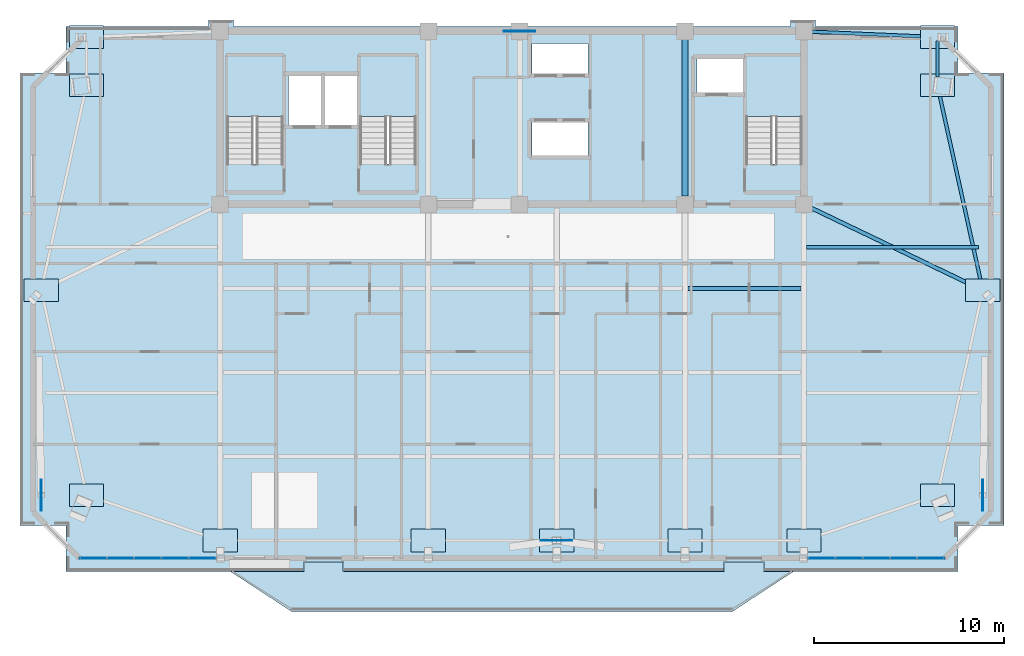
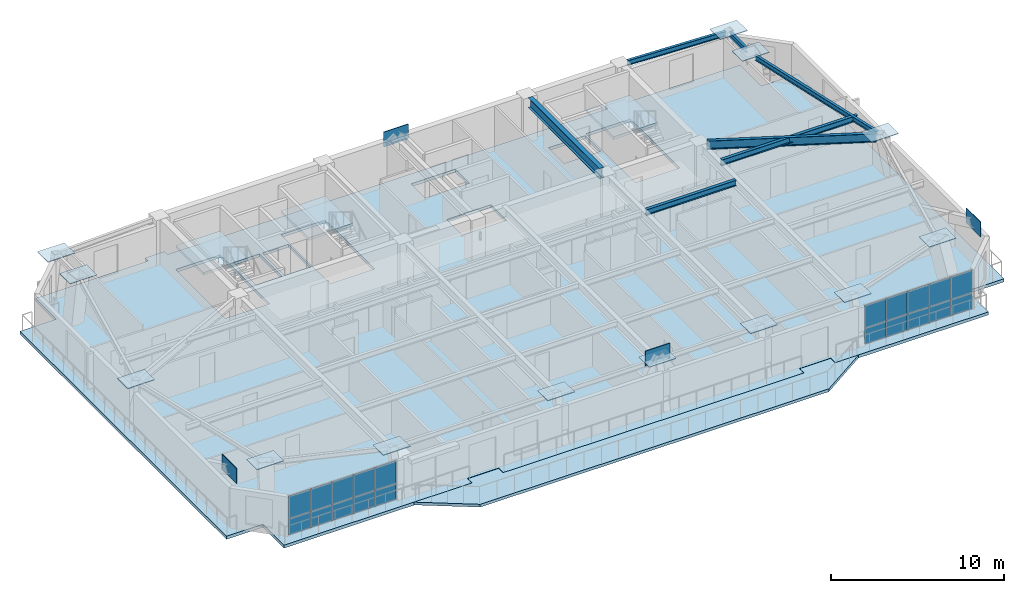
# One storey, part 6 of 15: 37 plates, 7 beams, 5 slabs, 5 elements without a shape of their own.
"""IFC4 building model written with IfcOpenShell, lengths in metres."""

from ifc_helpers import new_model, si_unit, direction, frame, origin, origin_2d, place, context, subcontext, project, spatial, polyline, rectangle, i_section, outline, extrude, source, transform, mapped, material, layer, layer_set, material_profile, profile_set, type_object, element, aggregate, save


model = new_model("IFC4")

# Units and contexts
model_context = context("Model", 3, precision=1e-05, world=origin(), true_north=direction((0.0, 1.0)))
body_context = subcontext(model_context, "Body", "Model", "MODEL_VIEW")
ifc_project = project(units=[si_unit("LENGTHUNIT", "METRE"), si_unit("AREAUNIT", "SQUARE_METRE"), si_unit("VOLUMEUNIT", "CUBIC_METRE"), si_unit("PLANEANGLEUNIT", "RADIAN"), si_unit("MASSUNIT", "GRAM", prefix="KILO")], contexts=[model_context])

# Site, building, storey
site_placement = place(None, origin())
site = spatial("IfcSite", under=ifc_project, at=site_placement, CompositionType="ELEMENT")
building_placement = place(site_placement, origin())
building = spatial("IfcBuilding", under=site, at=building_placement, Name="Giltprow Tower", CompositionType="ELEMENT")
storey_placement = place(building_placement, frame((0.0, 0.0, 300.60009765625)))
storey = spatial("IfcBuildingStorey", under=building, at=storey_placement, Name="L77", CompositionType="ELEMENT", Elevation=300.60009765625)

# Beams
ifc_material_1 = material(Name="Structural steel Q355B", Category="steel")
ifc_material_profile_1 = material_profile(ifc_material_1, i_section(OverallWidth=0.199951171875, OverallDepth=0.39990234375, WebThickness=0.008056640625, FlangeThickness=0.012939453125, at=origin_2d()), Name="HN 400x200x8x13")
ifc_profile_set_1 = profile_set([ifc_material_profile_1], Name="Structural steel Q355B")
beam_type_1 = type_object("IfcBeamType", Name="BM-JOIST-HN400", PredefinedType="JOIST", material=ifc_profile_set_1)
shared_shape_1 = source(origin(), body_context, "Body", "SweptSolid", [
    extrude(i_section(OverallWidth=0.199951171875, OverallDepth=0.39990234375, WebThickness=0.008056640625, FlangeThickness=0.012939453125, at=origin_2d()), origin(), (0.0, 0.0, 1.0), 5.9599609375),
])
beam_1_placement = place(storey_placement, frame((44.445068359375, 33.031005859375, 2.98486328125), z_axis=(1.0, 0.0, 0.0), x_axis=(0.0, 1.0, 0.0)))
element("IfcBeam", 1, at=beam_1_placement, inside=storey, type_object=beam_type_1, Name="L77 Composite Floor Joist 3-4", PredefinedType="JOIST", context=body_context, shape_type="MappedRepresentation", body=[
    mapped(shared_shape_1, transform((0.0, 0.0, 0.0), x_axis=(1.0, 0.0, 0.0), y_axis=(0.0, 1.0, 0.0), z_axis=(0.0, 0.0, 1.0), scale=1.0)),
])
ifc_material_profile_2 = material_profile(ifc_material_1, i_section(OverallWidth=0.300048828125, OverallDepth=0.699951171875, WebThickness=0.012939453125, FlangeThickness=0.02392578125, at=origin_2d()), Name="HN 700x300x13x24")
ifc_profile_set_2 = profile_set([ifc_material_profile_2], Name="Structural steel Q355B")
beam_type_2 = type_object("IfcBeamType", Name="BM-GIRD-HN700", PredefinedType="BEAM", material=ifc_profile_set_2)
shared_shape_2 = source(origin(), body_context, "Body", "SweptSolid", [
    extrude(i_section(OverallWidth=0.300048828125, OverallDepth=0.699951171875, WebThickness=0.012939453125, FlangeThickness=0.02392578125, at=origin_2d()), origin(), (0.0, 0.0, 1.0), 8.22998046875),
])
beam_2_placement = place(storey_placement, frame((44.300048828125, 37.885009765625, 2.8349609375), z_axis=(0.0, 1.0, 0.0), x_axis=(-1.0, 0.0, 0.0)))
element("IfcBeam", 2, at=beam_2_placement, inside=storey, type_object=beam_type_2, Name="L77 Core Tie Girder M3", PredefinedType="BEAM", context=body_context, shape_type="MappedRepresentation", body=[
    mapped(shared_shape_2, transform((0.0, 0.0, 0.0), x_axis=(1.0, 0.0, 0.0), y_axis=(0.0, 1.0, 0.0), z_axis=(0.0, 0.0, 1.0), scale=1.0)),
])
ifc_material_profile_3 = material_profile(ifc_material_1, i_section(OverallWidth=0.175048828125, OverallDepth=0.35009765625, WebThickness=0.007080078125, FlangeThickness=0.010986328125, at=origin_2d()), Name="HN 350x175x7x11")
ifc_profile_set_3 = profile_set([ifc_material_profile_3], Name="Structural steel Q355B")
beam_type_3 = type_object("IfcBeamType", Name="BM-SPAN-HN350", PredefinedType="SPANDREL", material=ifc_profile_set_3)
shared_shape_3 = source(origin(), body_context, "Body", "SweptSolid", [
    extrude(i_section(OverallWidth=0.175048828125, OverallDepth=0.35009765625, WebThickness=0.007080078125, FlangeThickness=0.010986328125, at=origin_2d()), origin(), (0.0, 0.0, 1.0), 10.39453125),
])
beam_3_placement = place(storey_placement, frame((59.9150390625, 33.14111328125, 3.010009765625), z_axis=(-0.216084827118, 0.976374593836, 0.0), x_axis=(-0.976374593836, -0.216084827118, 0.0)))
element("IfcBeam", 3, at=beam_3_placement, inside=storey, type_object=beam_type_3, Name="L77 Perimeter Spandrel Beam E_MID-MC_NE", PredefinedType="SPANDREL", context=body_context, shape_type="MappedRepresentation", body=[
    mapped(shared_shape_3, transform((0.0, 0.0, 0.0), x_axis=(1.0, 0.0, 0.0), y_axis=(0.0, 1.0, 0.0), z_axis=(0.0, 0.0, 1.0), scale=1.0)),
])
shared_shape_4 = source(origin(), body_context, "Body", "SweptSolid", [
    extrude(i_section(OverallWidth=0.175048828125, OverallDepth=0.35009765625, WebThickness=0.007080078125, FlangeThickness=0.010986328125, at=origin_2d()), origin(), (0.0, 0.0, 1.0), 1.89013671875),
])
beam_4_placement = place(storey_placement, frame((57.574951171875, 44.14990234375, 3.010009765625), z_axis=(0.0, 1.0, 0.0), x_axis=(-1.0, 0.0, 0.0)))
element("IfcBeam", 4, at=beam_4_placement, inside=storey, type_object=beam_type_3, Name="L77 Perimeter Spandrel Beam MC_NE-N_E", PredefinedType="SPANDREL", context=body_context, shape_type="MappedRepresentation", body=[
    mapped(shared_shape_4, transform((0.0, 0.0, 0.0), x_axis=(1.0, 0.0, 0.0), y_axis=(0.0, 1.0, 0.0), z_axis=(0.0, 0.0, 1.0), scale=1.0)),
])
shared_shape_5 = source(origin(), body_context, "Body", "SweptSolid", [
    extrude(i_section(OverallWidth=0.175048828125, OverallDepth=0.35009765625, WebThickness=0.007080078125, FlangeThickness=0.010986328125, at=origin_2d()), origin(), (0.0, 0.0, 1.0), 6.3857421875),
])
beam_5_placement = place(storey_placement, frame((50.985107421875, 46.531005859375, 3.010009765625), z_axis=(0.999092589816, -0.042591043359, 0.0), x_axis=(0.042591043359, 0.999092589816, 0.0)))
element("IfcBeam", 5, at=beam_5_placement, inside=storey, type_object=beam_type_3, Name="L77 North Wing Spandrel E", PredefinedType="SPANDREL", context=body_context, shape_type="MappedRepresentation", body=[
    mapped(shared_shape_5, transform((0.0, 0.0, 0.0), x_axis=(1.0, 0.0, 0.0), y_axis=(0.0, 1.0, 0.0), z_axis=(0.0, 0.0, 1.0), scale=1.0)),
])
ifc_material_profile_4 = material_profile(ifc_material_1, i_section(OverallWidth=0.199951171875, OverallDepth=0.60009765625, WebThickness=0.010986328125, FlangeThickness=0.01708984375, at=origin_2d()), Name="HN 600x200x11x17")
ifc_profile_set_4 = profile_set([ifc_material_profile_4], Name="Structural steel Q355B")
beam_type_4 = type_object("IfcBeamType", Name="BM-GIRD-HN600", PredefinedType="BEAM", material=ifc_profile_set_4)
shared_shape_6 = source(origin(), body_context, "Body", "SweptSolid", [
    extrude(i_section(OverallWidth=0.199951171875, OverallDepth=0.60009765625, WebThickness=0.010986328125, FlangeThickness=0.01708984375, at=origin_2d()), origin(), (0.0, 0.0, 1.0), 9.792236328125),
])
beam_6_placement = place(storey_placement, frame((59.77099609375, 33.027099609375, 2.885009765625), z_axis=(-0.901646741212, 0.432473298669, 0.0), x_axis=(-0.432473298669, -0.901646741212, 0.0)))
element("IfcBeam", 6, at=beam_6_placement, inside=storey, type_object=beam_type_4, Name="L77 East Wing Primary Girder", PredefinedType="BEAM", context=body_context, shape_type="MappedRepresentation", body=[
    mapped(shared_shape_6, transform((0.0, 0.0, 0.0), x_axis=(1.0, 0.0, 0.0), y_axis=(0.0, 1.0, 0.0), z_axis=(0.0, 0.0, 1.0), scale=1.0)),
])
shared_shape_7 = source(origin(), body_context, "Body", "SweptSolid", [
    extrude(i_section(OverallWidth=0.199951171875, OverallDepth=0.39990234375, WebThickness=0.008056640625, FlangeThickness=0.012939453125, at=origin_2d()), origin(), (0.0, 0.0, 1.0), 9.044921875),
])
beam_7_placement = place(storey_placement, frame((50.695068359375, 35.193115234375, 2.98486328125), z_axis=(1.0, 0.0, 0.0), x_axis=(0.0, 1.0, 0.0)))
element("IfcBeam", 7, at=beam_7_placement, inside=storey, type_object=beam_type_1, Name="L77 East Wing Floor Joist 2", PredefinedType="JOIST", context=body_context, shape_type="MappedRepresentation", body=[
    mapped(shared_shape_7, transform((0.0, 0.0, 0.0), x_axis=(1.0, 0.0, 0.0), y_axis=(0.0, 1.0, 0.0), z_axis=(0.0, 0.0, 1.0), scale=1.0)),
])

# Slabs
ifc_material_2 = material(Name="Concrete C40", Category="concrete")
ifc_layer_1 = layer(ifc_material_2, 0.199951171875, Name="Concrete C40")
ifc_layer_set_1 = layer_set([ifc_layer_1], Name="Concrete C40")
slab_type_1 = type_object("IfcSlabType", Name="SLB-BALC-BRONZE-200", PredefinedType="FLOOR", material=ifc_layer_set_1)
slab_1_placement = place(storey_placement, frame((0.0, 0.0, -0.2001953125)))
element("IfcSlab", 8, at=slab_1_placement, inside=storey, type_object=slab_type_1, Name="L77 Bronze Prow Waterfront Balcony Slab", PredefinedType="FLOOR", context=body_context, shape_type="SweptSolid", body=[
    extrude(outline(polyline([(50.0, 18.14111328125), (46.800048828125, 16.041015625), (23.60009765625, 16.041015625), (20.39990234375, 18.14111328125), (24.280029296875, 18.14111328125), (24.280029296875, 18.64111328125), (26.320068359375, 18.64111328125), (26.320068359375, 18.14111328125), (46.3798828125, 18.14111328125), (46.3798828125, 18.64111328125), (48.419921875, 18.64111328125), (48.419921875, 18.14111328125), (50.0, 18.14111328125)])), origin(), (0.0, 0.0, 1.0), 0.2001953125),
])
ifc_layer_2 = layer(ifc_material_2, 0.215087890625, Name="Concrete C40")
ifc_layer_set_2 = layer_set([ifc_layer_2], Name="Concrete C40")
slab_type_2 = type_object("IfcSlabType", Name="SLB-RES-215", PredefinedType="FLOOR", material=ifc_layer_set_2)
slab_2_placement = place(storey_placement, frame((0.0, 0.0, -0.215087890625)))
element("IfcSlab", 9, at=slab_2_placement, inside=storey, type_object=slab_type_2, Name="L77 Structural Composite Floor Slab", PredefinedType="FLOOR", context=body_context, shape_type="SweptSolid", body=[
    extrude(outline(polyline([(61.075927734375, 44.3701171875), (61.075927734375, 20.572021484375), (58.64501953125, 20.572021484375), (58.64501953125, 18.14111328125), (48.449951171875, 18.14111328125), (48.449951171875, 18.660888671875), (46.35009765625, 18.660888671875), (46.35009765625, 18.14111328125), (26.35009765625, 18.14111328125), (26.35009765625, 18.660888671875), (24.25, 18.660888671875), (24.25, 18.14111328125), (11.7548828125, 18.14111328125), (11.7548828125, 20.572021484375), (9.323974609375, 20.572021484375), (9.323974609375, 44.3701171875), (11.7548828125, 44.3701171875), (11.7548828125, 46.800048828125), (19.25, 46.800048828125), (19.25, 47.14990234375), (20.550048828125, 47.14990234375), (20.550048828125, 46.800048828125), (49.85009765625, 46.800048828125), (49.85009765625, 47.14990234375), (51.14990234375, 47.14990234375), (51.14990234375, 46.800048828125), (58.64501953125, 46.800048828125), (58.64501953125, 44.3701171875), (61.075927734375, 44.3701171875)]), holes=[polyline([(39.18994140625, 41.800048828125), (36.239990234375, 41.800048828125), (36.239990234375, 40.0), (39.18994140625, 40.0), (39.18994140625, 41.800048828125)]), polyline([(23.159912109375, 39.570068359375), (23.159912109375, 45.25), (20.199951171875, 45.25), (20.199951171875, 39.570068359375), (23.159912109375, 39.570068359375)]), polyline([(30.159912109375, 39.570068359375), (30.159912109375, 45.25), (27.199951171875, 45.25), (27.199951171875, 39.570068359375), (30.159912109375, 39.570068359375)]), polyline([(50.4599609375, 45.25), (47.5, 45.25), (47.5, 39.570068359375), (50.4599609375, 39.570068359375), (50.4599609375, 45.25)]), polyline([(25.169921875, 44.199951171875), (23.449951171875, 44.199951171875), (23.449951171875, 41.60009765625), (25.169921875, 41.60009765625), (25.169921875, 44.199951171875)]), polyline([(27.10009765625, 44.199951171875), (25.35009765625, 44.199951171875), (25.35009765625, 41.60009765625), (27.10009765625, 41.60009765625), (27.10009765625, 44.199951171875)]), polyline([(47.3798828125, 43.300048828125), (47.3798828125, 45.10009765625), (44.919921875, 45.10009765625), (44.919921875, 43.300048828125), (47.3798828125, 43.300048828125)]), polyline([(39.18994140625, 44.300048828125), (39.18994140625, 45.919921875), (36.239990234375, 45.919921875), (36.239990234375, 44.300048828125), (39.18994140625, 44.300048828125)])]), origin(), (0.0, 0.0, 1.0), 0.215087890625),
])

# Stair, slab
stair_type_1 = type_object("IfcStairType", Name="STR-ST-1", PredefinedType="HALF_TURN_STAIR", material=ifc_material_2)
stair_1_placement = place(storey_placement, origin())
stair_1 = element("IfcStair", 10, at=stair_1_placement, inside=storey, type_object=stair_type_1, Name="L77 Core Exit Stair ST-1", PredefinedType="HALF_TURN_STAIR")
ifc_layer_3 = layer(ifc_material_2, 0.179931640625, Name="Concrete C40")
ifc_layer_set_3 = layer_set([ifc_layer_3], Name="Concrete C40")
slab_type_3 = type_object("IfcSlabType", Name="SLD-ST-1", PredefinedType="LANDING", material=ifc_layer_set_3)
slab_3_placement = place(storey_placement, frame((0.0, 0.0, 1.52001953125)))
slab_3 = element("IfcSlab", 11, at=slab_3_placement, type_object=slab_type_3, Name="ST-1 landing 1", PredefinedType="LANDING", context=body_context, shape_type="SweptSolid", body=[
    extrude(outline(polyline([(23.159912109375, 42.070068359375), (23.159912109375, 45.25), (20.199951171875, 45.25), (20.199951171875, 42.070068359375), (23.159912109375, 42.070068359375)])), origin(), (0.0, 0.0, 1.0), 0.179931640625),
])
aggregate(stair_1, [slab_3])

stair_type_2 = type_object("IfcStairType", Name="STR-ST-2", PredefinedType="HALF_TURN_STAIR", material=ifc_material_2)
stair_2_placement = place(storey_placement, origin())
stair_2 = element("IfcStair", 12, at=stair_2_placement, inside=storey, type_object=stair_type_2, Name="L77 Core Exit Stair ST-2", PredefinedType="HALF_TURN_STAIR")
ifc_layer_4 = layer(ifc_material_2, 0.18798828125, Name="Concrete C40")
ifc_layer_set_4 = layer_set([ifc_layer_4], Name="Concrete C40")
slab_type_4 = type_object("IfcSlabType", Name="SLD-ST-2", PredefinedType="LANDING", material=ifc_layer_set_4)
slab_4_placement = place(storey_placement, frame((0.0, 0.0, 1.511962890625)))
slab_4 = element("IfcSlab", 13, at=slab_4_placement, type_object=slab_type_4, Name="ST-2 landing 1", PredefinedType="LANDING", context=body_context, shape_type="SweptSolid", body=[
    extrude(outline(polyline([(30.159912109375, 42.070068359375), (30.159912109375, 45.25), (27.199951171875, 45.25), (27.199951171875, 42.070068359375), (30.159912109375, 42.070068359375)])), origin(), (0.0, 0.0, 1.0), 0.18798828125),
])
aggregate(stair_2, [slab_4])

stair_type_3 = type_object("IfcStairType", Name="STR-ST-3", PredefinedType="HALF_TURN_STAIR", material=ifc_material_2)
stair_3_placement = place(storey_placement, origin())
stair_3 = element("IfcStair", 14, at=stair_3_placement, inside=storey, type_object=stair_type_3, Name="L77 Core Exit Stair ST-3", PredefinedType="HALF_TURN_STAIR")
ifc_layer_5 = layer(ifc_material_2, 0.196044921875, Name="Concrete C40")
ifc_layer_set_5 = layer_set([ifc_layer_5], Name="Concrete C40")
slab_type_5 = type_object("IfcSlabType", Name="SLD-ST-3", PredefinedType="LANDING", material=ifc_layer_set_5)
slab_5_placement = place(storey_placement, frame((0.0, 0.0, 1.50390625)))
slab_5 = element("IfcSlab", 15, at=slab_5_placement, type_object=slab_type_5, Name="ST-3 landing 1", PredefinedType="LANDING", context=body_context, shape_type="SweptSolid", body=[
    extrude(outline(polyline([(50.4599609375, 42.070068359375), (50.4599609375, 45.25), (47.5, 45.25), (47.5, 42.070068359375), (50.4599609375, 42.070068359375)])), origin(), (0.0, 0.0, 1.0), 0.196044921875),
])
aggregate(stair_3, [slab_5])

# Plates
ifc_material_3 = material(Name="Structural steel Q420GJC", Category="steel")
plate_type_1 = type_object("IfcPlateType", Name="PLT-NODE-CKN1", PredefinedType="USERDEFINED", material=ifc_material_3)
shared_shape_8 = source(origin(), body_context, "Body", "SweptSolid", [
    extrude(rectangle(XDim=1.800048828125, YDim=1.199951171875, at=origin_2d()), origin(), (0.0, 0.0, 1.0), 0.044921875),
])
for number, where, z_axis, x_axis, name in (
    (16, (12.824951171875, 22.156982421875, 3.142333984375), (0.0, 0.0, 1.0), (1.0, 0.0, 0.0), "CKN1 Column Taper Splice Node L77-MC_SW"),
    (17, (57.574951171875, 22.156982421875, 3.142333984375), (0.0, 0.0, 1.0), (1.0, 0.0, 0.0), "CKN1 Column Taper Splice Node L77-MC_SE"),
    (18, (12.824951171875, 43.715087890625, 3.142333984375), (0.0, 0.0, 1.0), (1.0, 0.0, 0.0), "CKN1 Column Taper Splice Node L77-MC_NW"),
    (19, (57.574951171875, 43.715087890625, 3.142333984375), (0.0, 0.0, 1.0), (1.0, 0.0, 0.0), "CKN1 Column Taper Splice Node L77-MC_NE"),
    (20, (19.85009765625, 19.77197265625, 3.142333984375), (0.0, 0.0, 1.0), (1.0, 0.0, 0.0), "CKN1 Column Taper Splice Node L77-S1"),
    (21, (30.800048828125, 19.77197265625, 3.142333984375), (0.0, 0.0, 1.0), (1.0, 0.0, 0.0), "CKN1 Column Taper Splice Node L77-S2"),
    (22, (37.550048828125, 19.77197265625, 3.142333984375), (0.0, 0.0, 1.0), (1.0, 0.0, 0.0), "CKN1 Column Taper Splice Node L77-S_MID"),
    (23, (44.300048828125, 19.77197265625, 3.142333984375), (0.0, 0.0, 1.0), (1.0, 0.0, 0.0), "CKN1 Column Taper Splice Node L77-S3"),
    (24, (50.550048828125, 19.77197265625, 3.142333984375), (0.0, 0.0, 1.0), (1.0, 0.0, 0.0), "CKN1 Column Taper Splice Node L77-S4"),
    (25, (10.43994140625, 32.93603515625, 3.142333984375), (0.0, 0.0, 1.0), (1.0, 0.0, 0.0), "CKN1 Column Taper Splice Node L77-W_MID"),
    (26, (59.9599609375, 32.93603515625, 3.142333984375), (0.0, 0.0, 1.0), (1.0, 0.0, 0.0), "CKN1 Column Taper Splice Node L77-E_MID"),
    (27, (12.824951171875, 46.25, 3.142333984375), (0.0, 0.0, 1.0), (1.0, 0.0, 0.0), "CKN1 Column Taper Splice Node L77-N_W"),
    (28, (57.574951171875, 46.25, 3.142333984375), (0.0, 0.0, 1.0), (1.0, 0.0, 0.0), "CKN1 Column Taper Splice Node L77-N_E"),
):
    element("IfcPlate", number, at=place(storey_placement, frame(where, z_axis=z_axis, x_axis=x_axis)), inside=storey, type_object=plate_type_1, Name=name, ObjectType="SPLICE", PredefinedType="USERDEFINED", context=body_context, shape_type="MappedRepresentation", body=[
        mapped(shared_shape_8, transform((0.0, 0.0, 0.0), x_axis=(1.0, 0.0, 0.0), y_axis=(0.0, 1.0, 0.0), z_axis=(0.0, 0.0, 1.0), scale=1.0)),
    ])
plate_type_2 = type_object("IfcPlateType", Name="PLT-NODE-MBN2", PredefinedType="USERDEFINED", material=ifc_material_3)
shared_shape_9 = source(origin(), body_context, "Body", "SweptSolid", [
    extrude(rectangle(XDim=1.64990234375, YDim=0.044921875, at=origin_2d()), origin(), (0.0, 0.0, 1.0), 1.050048828125),
])
for number, where, z_axis, x_axis, name in (
    (29, (37.550048828125, 19.77197265625, 2.875), (0.0, 0.0, 1.0), (1.0, 0.0, 0.0), "Mega-Brace Node L77-S-LB"),
    (30, (35.60009765625, 46.550048828125, 2.73486328125), (0.0, 0.0, 1.0), (1.0, 0.0, 0.0), "Mega-Brace Node L77-N-LB"),
    (31, (10.43994140625, 22.156982421875, 2.875), (0.0, 0.0, 1.0), (0.0, 1.0, 0.0), "Mega-Brace Node L77-W-DB"),
    (32, (59.9599609375, 22.156982421875, 2.875), (0.0, 0.0, 1.0), (0.0, 1.0, 0.0), "Mega-Brace Node L77-E-DB"),
):
    element("IfcPlate", number, at=place(storey_placement, frame(where, z_axis=z_axis, x_axis=x_axis)), inside=storey, type_object=plate_type_2, Name=name, ObjectType="GUSSET", PredefinedType="USERDEFINED", context=body_context, shape_type="MappedRepresentation", body=[
        mapped(shared_shape_9, transform((0.0, 0.0, 0.0), x_axis=(1.0, 0.0, 0.0), y_axis=(0.0, 1.0, 0.0), z_axis=(0.0, 0.0, 1.0), scale=1.0)),
    ])

# Curtain wall, plates
ifc_material_4 = material(Name="Anodized bronze", Category="metal")
ifc_layer_6 = layer(ifc_material_4, 0.179931640625, Name="Anodized bronze")
ifc_layer_set_6 = layer_set([ifc_layer_6], Name="Anodized bronze")
curtain_wall_type = type_object("IfcCurtainWallType", Name="CW-RES-SKY", PredefinedType="NOTDEFINED", material=ifc_layer_set_6)
curtain_wall_1_placement = place(storey_placement, origin())
curtain_wall_1 = element("IfcCurtainWall", 33, at=curtain_wall_1_placement, inside=storey, type_object=curtain_wall_type, Name="L77 South Recessed Curtain Wall 1", PredefinedType="NOTDEFINED")
ifc_material_5 = material(Name="Insulated glass", Category="glass")
plate_type_3 = type_object("IfcPlateType", Name="CW-PANEL-IGU-28", PredefinedType="CURTAIN_PANEL", material=ifc_material_5)
shared_shape_10 = source(origin(), body_context, "Body", "SweptSolid", [
    extrude(rectangle(XDim=1.404052734375, YDim=0.028076171875, at=origin_2d()), origin(), (0.0, 0.0, 1.0), 1.114013671875),
])
plate_1_placement = place(storey_placement, frame((13.172119140625, 18.841064453125, 0.0537109375), z_axis=(0.0, 0.0, 1.0), x_axis=(1.0, 0.0, 0.0)))
plate_1 = element("IfcPlate", 34, at=plate_1_placement, type_object=plate_type_3, Name="L77 South Recessed Curtain Wall 1 Glazing Panel 1-1", PredefinedType="CURTAIN_PANEL", context=body_context, shape_type="MappedRepresentation", body=[
    mapped(shared_shape_10, transform((0.0, 0.0, 0.0), x_axis=(1.0, 0.0, 0.0), y_axis=(0.0, 1.0, 0.0), z_axis=(0.0, 0.0, 1.0), scale=1.0)),
])
plate_2_placement = place(storey_placement, frame((14.60595703125, 18.841064453125, 0.0537109375), z_axis=(0.0, 0.0, 1.0), x_axis=(1.0, 0.0, 0.0)))
plate_2 = element("IfcPlate", 35, at=plate_2_placement, type_object=plate_type_3, Name="L77 South Recessed Curtain Wall 1 Glazing Panel 2-1", PredefinedType="CURTAIN_PANEL", context=body_context, shape_type="MappedRepresentation", body=[
    mapped(shared_shape_10, transform((0.0, 0.0, 0.0), x_axis=(1.0, 0.0, 0.0), y_axis=(0.0, 1.0, 0.0), z_axis=(0.0, 0.0, 1.0), scale=1.0)),
])
plate_3_placement = place(storey_placement, frame((16.0400390625, 18.841064453125, 0.0537109375), z_axis=(0.0, 0.0, 1.0), x_axis=(1.0, 0.0, 0.0)))
plate_3 = element("IfcPlate", 36, at=plate_3_placement, type_object=plate_type_3, Name="L77 South Recessed Curtain Wall 1 Glazing Panel 3-1", PredefinedType="CURTAIN_PANEL", context=body_context, shape_type="MappedRepresentation", body=[
    mapped(shared_shape_10, transform((0.0, 0.0, 0.0), x_axis=(1.0, 0.0, 0.0), y_axis=(0.0, 1.0, 0.0), z_axis=(0.0, 0.0, 1.0), scale=1.0)),
])
plate_4_placement = place(storey_placement, frame((17.47412109375, 18.841064453125, 0.0537109375), z_axis=(0.0, 0.0, 1.0), x_axis=(1.0, 0.0, 0.0)))
plate_4 = element("IfcPlate", 37, at=plate_4_placement, type_object=plate_type_3, Name="L77 South Recessed Curtain Wall 1 Glazing Panel 4-1", PredefinedType="CURTAIN_PANEL", context=body_context, shape_type="MappedRepresentation", body=[
    mapped(shared_shape_10, transform((0.0, 0.0, 0.0), x_axis=(1.0, 0.0, 0.0), y_axis=(0.0, 1.0, 0.0), z_axis=(0.0, 0.0, 1.0), scale=1.0)),
])
plate_5_placement = place(storey_placement, frame((18.907958984375, 18.841064453125, 0.0537109375), z_axis=(0.0, 0.0, 1.0), x_axis=(1.0, 0.0, 0.0)))
plate_5 = element("IfcPlate", 38, at=plate_5_placement, type_object=plate_type_3, Name="L77 South Recessed Curtain Wall 1 Glazing Panel 5-1", PredefinedType="CURTAIN_PANEL", context=body_context, shape_type="MappedRepresentation", body=[
    mapped(shared_shape_10, transform((0.0, 0.0, 0.0), x_axis=(1.0, 0.0, 0.0), y_axis=(0.0, 1.0, 0.0), z_axis=(0.0, 0.0, 1.0), scale=1.0)),
])

curtain_wall_2_placement = place(storey_placement, origin())
curtain_wall_2 = element("IfcCurtainWall", 39, at=curtain_wall_2_placement, inside=storey, type_object=curtain_wall_type, Name="L77 South Recessed Curtain Wall 6", PredefinedType="NOTDEFINED")
plate_6_placement = place(storey_placement, frame((51.491943359375, 18.841064453125, 0.0537109375), z_axis=(0.0, 0.0, 1.0), x_axis=(1.0, 0.0, 0.0)))
plate_6 = element("IfcPlate", 40, at=plate_6_placement, type_object=plate_type_3, Name="L77 South Recessed Curtain Wall 6 Glazing Panel 1-1", PredefinedType="CURTAIN_PANEL", context=body_context, shape_type="MappedRepresentation", body=[
    mapped(shared_shape_10, transform((0.0, 0.0, 0.0), x_axis=(1.0, 0.0, 0.0), y_axis=(0.0, 1.0, 0.0), z_axis=(0.0, 0.0, 1.0), scale=1.0)),
])
plate_7_placement = place(storey_placement, frame((52.926025390625, 18.841064453125, 0.0537109375), z_axis=(0.0, 0.0, 1.0), x_axis=(1.0, 0.0, 0.0)))
plate_7 = element("IfcPlate", 41, at=plate_7_placement, type_object=plate_type_3, Name="L77 South Recessed Curtain Wall 6 Glazing Panel 2-1", PredefinedType="CURTAIN_PANEL", context=body_context, shape_type="MappedRepresentation", body=[
    mapped(shared_shape_10, transform((0.0, 0.0, 0.0), x_axis=(1.0, 0.0, 0.0), y_axis=(0.0, 1.0, 0.0), z_axis=(0.0, 0.0, 1.0), scale=1.0)),
])
plate_8_placement = place(storey_placement, frame((54.360107421875, 18.841064453125, 0.0537109375), z_axis=(0.0, 0.0, 1.0), x_axis=(1.0, 0.0, 0.0)))
plate_8 = element("IfcPlate", 42, at=plate_8_placement, type_object=plate_type_3, Name="L77 South Recessed Curtain Wall 6 Glazing Panel 3-1", PredefinedType="CURTAIN_PANEL", context=body_context, shape_type="MappedRepresentation", body=[
    mapped(shared_shape_10, transform((0.0, 0.0, 0.0), x_axis=(1.0, 0.0, 0.0), y_axis=(0.0, 1.0, 0.0), z_axis=(0.0, 0.0, 1.0), scale=1.0)),
])
plate_9_placement = place(storey_placement, frame((55.7939453125, 18.841064453125, 0.0537109375), z_axis=(0.0, 0.0, 1.0), x_axis=(1.0, 0.0, 0.0)))
plate_9 = element("IfcPlate", 43, at=plate_9_placement, type_object=plate_type_3, Name="L77 South Recessed Curtain Wall 6 Glazing Panel 4-1", PredefinedType="CURTAIN_PANEL", context=body_context, shape_type="MappedRepresentation", body=[
    mapped(shared_shape_10, transform((0.0, 0.0, 0.0), x_axis=(1.0, 0.0, 0.0), y_axis=(0.0, 1.0, 0.0), z_axis=(0.0, 0.0, 1.0), scale=1.0)),
])
plate_10_placement = place(storey_placement, frame((57.22802734375, 18.841064453125, 0.0537109375), z_axis=(0.0, 0.0, 1.0), x_axis=(1.0, 0.0, 0.0)))
plate_10 = element("IfcPlate", 44, at=plate_10_placement, type_object=plate_type_3, Name="L77 South Recessed Curtain Wall 6 Glazing Panel 5-1", PredefinedType="CURTAIN_PANEL", context=body_context, shape_type="MappedRepresentation", body=[
    mapped(shared_shape_10, transform((0.0, 0.0, 0.0), x_axis=(1.0, 0.0, 0.0), y_axis=(0.0, 1.0, 0.0), z_axis=(0.0, 0.0, 1.0), scale=1.0)),
])

# Plate
shared_shape_11 = source(origin(), body_context, "Body", "SweptSolid", [
    extrude(rectangle(XDim=1.404052734375, YDim=0.028076171875, at=origin_2d()), origin(), (0.0, 0.0, 1.0), 1.56494140625),
])
plate_11_placement = place(storey_placement, frame((13.172119140625, 18.841064453125, 1.1953125), z_axis=(0.0, 0.0, 1.0), x_axis=(1.0, 0.0, 0.0)))
plate_11 = element("IfcPlate", 45, at=plate_11_placement, type_object=plate_type_3, Name="L77 South Recessed Curtain Wall 1 Glazing Panel 1-2", PredefinedType="CURTAIN_PANEL", context=body_context, shape_type="MappedRepresentation", body=[
    mapped(shared_shape_11, transform((0.0, 0.0, 0.0), x_axis=(1.0, 0.0, 0.0), y_axis=(0.0, 1.0, 0.0), z_axis=(0.0, 0.0, 1.0), scale=1.0)),
])

plate_12_placement = place(storey_placement, frame((14.60595703125, 18.841064453125, 1.1953125), z_axis=(0.0, 0.0, 1.0), x_axis=(1.0, 0.0, 0.0)))
plate_12 = element("IfcPlate", 46, at=plate_12_placement, type_object=plate_type_3, Name="L77 South Recessed Curtain Wall 1 Glazing Panel 2-2", PredefinedType="CURTAIN_PANEL", context=body_context, shape_type="MappedRepresentation", body=[
    mapped(shared_shape_11, transform((0.0, 0.0, 0.0), x_axis=(1.0, 0.0, 0.0), y_axis=(0.0, 1.0, 0.0), z_axis=(0.0, 0.0, 1.0), scale=1.0)),
])

plate_13_placement = place(storey_placement, frame((16.0400390625, 18.841064453125, 1.1953125), z_axis=(0.0, 0.0, 1.0), x_axis=(1.0, 0.0, 0.0)))
plate_13 = element("IfcPlate", 47, at=plate_13_placement, type_object=plate_type_3, Name="L77 South Recessed Curtain Wall 1 Glazing Panel 3-2", PredefinedType="CURTAIN_PANEL", context=body_context, shape_type="MappedRepresentation", body=[
    mapped(shared_shape_11, transform((0.0, 0.0, 0.0), x_axis=(1.0, 0.0, 0.0), y_axis=(0.0, 1.0, 0.0), z_axis=(0.0, 0.0, 1.0), scale=1.0)),
])

plate_14_placement = place(storey_placement, frame((17.47412109375, 18.841064453125, 1.1953125), z_axis=(0.0, 0.0, 1.0), x_axis=(1.0, 0.0, 0.0)))
plate_14 = element("IfcPlate", 48, at=plate_14_placement, type_object=plate_type_3, Name="L77 South Recessed Curtain Wall 1 Glazing Panel 4-2", PredefinedType="CURTAIN_PANEL", context=body_context, shape_type="MappedRepresentation", body=[
    mapped(shared_shape_11, transform((0.0, 0.0, 0.0), x_axis=(1.0, 0.0, 0.0), y_axis=(0.0, 1.0, 0.0), z_axis=(0.0, 0.0, 1.0), scale=1.0)),
])

plate_15_placement = place(storey_placement, frame((18.907958984375, 18.841064453125, 1.1953125), z_axis=(0.0, 0.0, 1.0), x_axis=(1.0, 0.0, 0.0)))
plate_15 = element("IfcPlate", 49, at=plate_15_placement, type_object=plate_type_3, Name="L77 South Recessed Curtain Wall 1 Glazing Panel 5-2", PredefinedType="CURTAIN_PANEL", context=body_context, shape_type="MappedRepresentation", body=[
    mapped(shared_shape_11, transform((0.0, 0.0, 0.0), x_axis=(1.0, 0.0, 0.0), y_axis=(0.0, 1.0, 0.0), z_axis=(0.0, 0.0, 1.0), scale=1.0)),
])

aggregate(curtain_wall_1, [plate_1, plate_11, plate_2, plate_12, plate_3, plate_13, plate_4, plate_14, plate_5, plate_15])

plate_16_placement = place(storey_placement, frame((51.491943359375, 18.841064453125, 1.1953125), z_axis=(0.0, 0.0, 1.0), x_axis=(1.0, 0.0, 0.0)))
plate_16 = element("IfcPlate", 50, at=plate_16_placement, type_object=plate_type_3, Name="L77 South Recessed Curtain Wall 6 Glazing Panel 1-2", PredefinedType="CURTAIN_PANEL", context=body_context, shape_type="MappedRepresentation", body=[
    mapped(shared_shape_11, transform((0.0, 0.0, 0.0), x_axis=(1.0, 0.0, 0.0), y_axis=(0.0, 1.0, 0.0), z_axis=(0.0, 0.0, 1.0), scale=1.0)),
])

plate_17_placement = place(storey_placement, frame((52.926025390625, 18.841064453125, 1.1953125), z_axis=(0.0, 0.0, 1.0), x_axis=(1.0, 0.0, 0.0)))
plate_17 = element("IfcPlate", 51, at=plate_17_placement, type_object=plate_type_3, Name="L77 South Recessed Curtain Wall 6 Glazing Panel 2-2", PredefinedType="CURTAIN_PANEL", context=body_context, shape_type="MappedRepresentation", body=[
    mapped(shared_shape_11, transform((0.0, 0.0, 0.0), x_axis=(1.0, 0.0, 0.0), y_axis=(0.0, 1.0, 0.0), z_axis=(0.0, 0.0, 1.0), scale=1.0)),
])

plate_18_placement = place(storey_placement, frame((54.360107421875, 18.841064453125, 1.1953125), z_axis=(0.0, 0.0, 1.0), x_axis=(1.0, 0.0, 0.0)))
plate_18 = element("IfcPlate", 52, at=plate_18_placement, type_object=plate_type_3, Name="L77 South Recessed Curtain Wall 6 Glazing Panel 3-2", PredefinedType="CURTAIN_PANEL", context=body_context, shape_type="MappedRepresentation", body=[
    mapped(shared_shape_11, transform((0.0, 0.0, 0.0), x_axis=(1.0, 0.0, 0.0), y_axis=(0.0, 1.0, 0.0), z_axis=(0.0, 0.0, 1.0), scale=1.0)),
])

plate_19_placement = place(storey_placement, frame((55.7939453125, 18.841064453125, 1.1953125), z_axis=(0.0, 0.0, 1.0), x_axis=(1.0, 0.0, 0.0)))
plate_19 = element("IfcPlate", 53, at=plate_19_placement, type_object=plate_type_3, Name="L77 South Recessed Curtain Wall 6 Glazing Panel 4-2", PredefinedType="CURTAIN_PANEL", context=body_context, shape_type="MappedRepresentation", body=[
    mapped(shared_shape_11, transform((0.0, 0.0, 0.0), x_axis=(1.0, 0.0, 0.0), y_axis=(0.0, 1.0, 0.0), z_axis=(0.0, 0.0, 1.0), scale=1.0)),
])

plate_20_placement = place(storey_placement, frame((57.22802734375, 18.841064453125, 1.1953125), z_axis=(0.0, 0.0, 1.0), x_axis=(1.0, 0.0, 0.0)))
plate_20 = element("IfcPlate", 54, at=plate_20_placement, type_object=plate_type_3, Name="L77 South Recessed Curtain Wall 6 Glazing Panel 5-2", PredefinedType="CURTAIN_PANEL", context=body_context, shape_type="MappedRepresentation", body=[
    mapped(shared_shape_11, transform((0.0, 0.0, 0.0), x_axis=(1.0, 0.0, 0.0), y_axis=(0.0, 1.0, 0.0), z_axis=(0.0, 0.0, 1.0), scale=1.0)),
])

aggregate(curtain_wall_2, [plate_6, plate_16, plate_7, plate_17, plate_8, plate_18, plate_9, plate_19, plate_10, plate_20])

save(model, "model.ifc")
